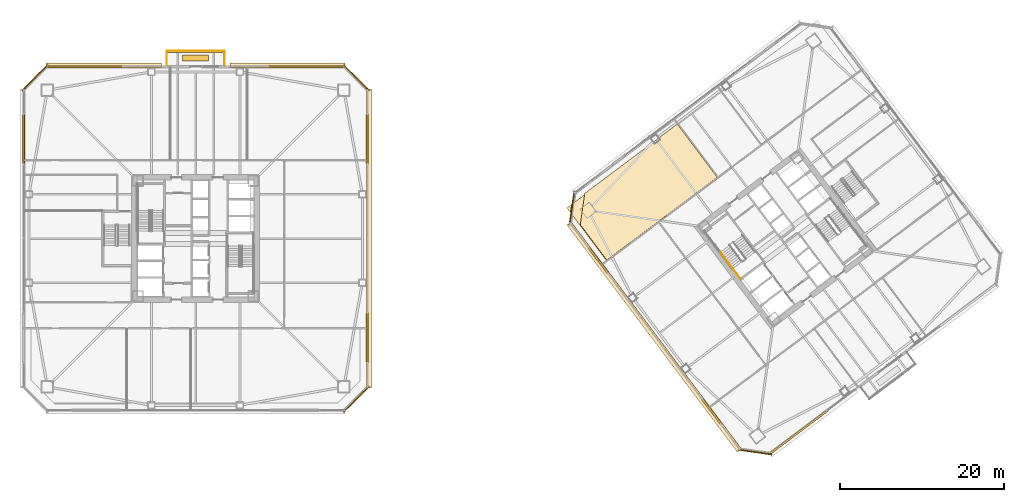
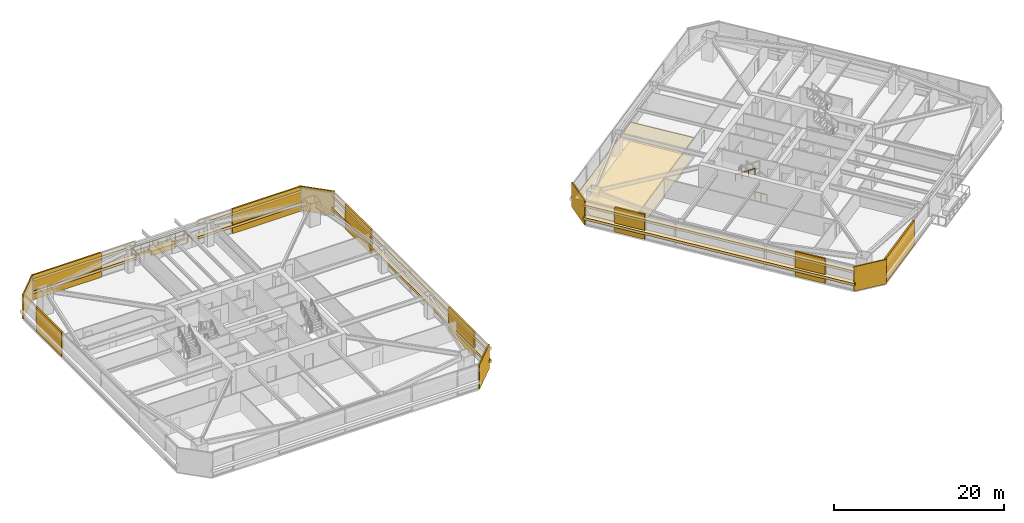
# One storey, part 45 of 48: 25 coverings, 5 railings.
"""IFC4 building model written with IfcOpenShell, lengths in metres."""

from ifc_helpers import new_model, si_unit, direction, frame, origin, origin_2d, place, context, subcontext, project, spatial, polyline, rectangle, outline, extrude, material, layer, layer_set, type_object, element, save


model = new_model("IFC4")

# Units and contexts
model_context = context("Model", 3, precision=1e-05, world=origin(), true_north=direction((0.0, 1.0)))
body_context = subcontext(model_context, "Body", "Model", "MODEL_VIEW")
ifc_project = project(units=[si_unit("LENGTHUNIT", "METRE"), si_unit("AREAUNIT", "SQUARE_METRE"), si_unit("VOLUMEUNIT", "CUBIC_METRE"), si_unit("PLANEANGLEUNIT", "RADIAN"), si_unit("MASSUNIT", "GRAM", prefix="KILO")], contexts=[model_context])

# Site, building, storey
site_placement = place(None, origin())
site = spatial("IfcSite", under=ifc_project, at=site_placement, CompositionType="ELEMENT")
building_placement = place(site_placement, origin())
building = spatial("IfcBuilding", under=site, at=building_placement, Name="Tashvorn Skyway Center", CompositionType="ELEMENT")
storey_placement = place(building_placement, frame((0.0, 0.0, 77.85009765625)))
storey = spatial("IfcBuildingStorey", under=building, at=storey_placement, Name="L20", CompositionType="ELEMENT", Elevation=77.85009765625)

# Coverings
ifc_material_1 = material(Name="Precast concrete C40/50", Category="concrete")
ifc_layer_1 = layer(ifc_material_1, 0.199951171875)
ifc_layer_set_1 = layer_set([ifc_layer_1], Name="Precast concrete C40/50")
covering_type_1 = type_object("IfcCoveringType", Name="COV-BRACE-CLAD", PredefinedType="CLADDING", material=ifc_layer_set_1)
covering_1_placement = place(storey_placement, frame((21.02001953125, 44.1201171875, 0.0), z_axis=(0.0, 0.0, 1.0), x_axis=(0.0, 1.0, 0.0)))
element("IfcCovering", 1, at=covering_1_placement, inside=storey, type_object=covering_type_1, Name="Tower 1 L20 West Unitised Curtain Wall Mega-Brace Cladding Band 2", PredefinedType="CLADDING", context=body_context, shape_type="SweptSolid", body=[
    extrude(rectangle(XDim=6.06005859375, YDim=0.199951171875, at=origin_2d()), origin(), (0.0, 0.0, 1.0), 3.550048828125),
])
for number, where, z_axis, x_axis, name in (
    (2, (28.46337890625, 52.97998046875, 0.0), (0.0, 0.0, 1.0), (1.0, 0.0, 0.0), "Tower 1 L20 North Curtain Wall L Mega-Brace Cladding Band 1"),
    (3, (55.53662109375, 52.97998046875, 0.0), (0.0, 0.0, 1.0), (1.0, 0.0, 0.0), "Tower 1 L20 North Curtain Wall R Mega-Brace Cladding Band 1"),
):
    element("IfcCovering", number, at=place(storey_placement, frame(where, z_axis=z_axis, x_axis=x_axis)), inside=storey, type_object=covering_type_1, Name=name, PredefinedType="CLADDING", context=body_context, shape_type="SweptSolid", body=[
        extrude(rectangle(XDim=9.28662109375, YDim=0.199951171875, at=origin_2d()), origin(), (0.0, 0.0, 1.0), 3.550048828125),
    ])
for number, where, z_axis, x_axis, name in (
    (4, (62.97998046875, 44.1201171875, 0.0), (0.0, 0.0, 1.0), (0.0, -1.0, 0.0), "Tower 1 L20 East Unitised Curtain Wall Mega-Brace Cladding Band 1"),
    (5, (62.97998046875, 19.8798828125, 0.0), (0.0, 0.0, 1.0), (0.0, -1.0, 0.0), "Tower 1 L20 East Unitised Curtain Wall Mega-Brace Cladding Band 2"),
):
    element("IfcCovering", number, at=place(storey_placement, frame(where, z_axis=z_axis, x_axis=x_axis)), inside=storey, type_object=covering_type_1, Name=name, PredefinedType="CLADDING", context=body_context, shape_type="SweptSolid", body=[
        extrude(rectangle(XDim=6.06005859375, YDim=0.199951171875, at=origin_2d()), origin(), (0.0, 0.0, 1.0), 3.550048828125),
    ])
covering_2_placement = place(storey_placement, frame((115.57861328125, 8.333984375, 0.0), z_axis=(0.0, 0.0, 1.0), x_axis=(-0.799999996291, -0.600000004945, 0.0)))
element("IfcCovering", 6, at=covering_2_placement, inside=storey, type_object=covering_type_1, Name="Tower 2 L20 South Curtain Wall R Mega-Brace Cladding Band 1", PredefinedType="CLADDING", context=body_context, shape_type="SweptSolid", body=[
    extrude(rectangle(XDim=8.6865234375, YDim=0.199951171875, at=origin_2d()), origin(), (0.0, 0.0, 1.0), 3.550048828125),
])
for number, where, z_axis, x_axis, name in (
    (7, (105.008056640625, 10.85595703125, 0.0), (0.0, 0.0, 1.0), (-0.600000004945, 0.799999996291, 0.0), "Tower 2 L20 West Unitised Curtain Wall Mega-Brace Cladding Band 1"),
    (8, (91.18408203125, 29.2880859375, 0.0), (0.0, 0.0, 1.0), (-0.600000004945, 0.799999996291, 0.0), "Tower 2 L20 West Unitised Curtain Wall Mega-Brace Cladding Band 2"),
):
    element("IfcCovering", number, at=place(storey_placement, frame(where, z_axis=z_axis, x_axis=x_axis)), inside=storey, type_object=covering_type_1, Name=name, PredefinedType="CLADDING", context=body_context, shape_type="SweptSolid", body=[
        extrude(rectangle(XDim=3.840087890625, YDim=0.199951171875, at=origin_2d()), origin(), (0.0, 0.0, 1.0), 3.550048828125),
    ])
ifc_material_2 = material(Name="Mineral-fibre acoustic ceiling tile on suspended grid")
ifc_layer_2 = layer(ifc_material_2, 0.02001953125)
ifc_layer_set_2 = layer_set([ifc_layer_2], Name="Mineral-fibre acoustic ceiling tile on suspended grid")
covering_type_2 = type_object("IfcCoveringType", Name="COV-CEIL-20", PredefinedType="CEILING", material=ifc_layer_set_2)
covering_3_placement = place(storey_placement, frame((0.0, 0.0, 2.682861328125)))
element("IfcCovering", 9, at=covering_3_placement, inside=storey, type_object=covering_type_2, Name="Tower 2 L20 Conference Room Acoustic Ceiling", PredefinedType="CEILING", context=body_context, shape_type="SweptSolid", body=[
    extrude(outline(polyline([(92.179931640625, 29.260009765625), (105.780029296875, 39.4599609375), (100.919921875, 45.93994140625), (87.320068359375, 35.739990234375), (92.179931640625, 29.260009765625)])), origin(), (0.0, 0.0, 1.0), 0.02001953125),
])
ifc_material_3 = material(Name="Polished Mojave desert-aggregate terrazzo and cover plate")
ifc_layer_3 = layer(ifc_material_3, 0.0400390625)
ifc_layer_set_3 = layer_set([ifc_layer_3], Name="Polished Mojave desert-aggregate terrazzo and cover plate")
covering_type_3 = type_object("IfcCoveringType", Name="COV-FLR-40", PredefinedType="FLOORING", material=ifc_layer_set_3)
covering_4_placement = place(storey_placement, origin())
element("IfcCovering", 10, at=covering_4_placement, inside=storey, type_object=covering_type_3, Name="Tower 2 L20 Conference Room Finish Flooring", PredefinedType="FLOORING", context=body_context, shape_type="SweptSolid", body=[
    extrude(outline(polyline([(105.66796875, 39.47607421875), (92.196044921875, 29.3720703125), (88.9560546875, 33.69189453125), (89.5, 37.5), (100.7958984375, 45.971923828125), (105.66796875, 39.47607421875)])), origin(), (0.0, 0.0, 1.0), 0.039794921875),
])
ifc_material_4 = material(Name="Perforated ceramic-coated bronze aluminium solar screen", Category="aluminium")
ifc_layer_4 = layer(ifc_material_4, 0.85009765625)
ifc_layer_set_4 = layer_set([ifc_layer_4], Name="Perforated ceramic-coated bronze aluminium solar screen")
covering_type_4 = type_object("IfcCoveringType", Name="COV-SOLAR-BAND", PredefinedType="CLADDING", material=ifc_layer_set_4)
for number, where, z_axis, x_axis, name in (
    (11, (30.784912109375, 53.1201171875, 0.919921875), (0.0, 0.0, 1.0), (1.0, 0.0, 0.0), "L20 Perforated Ceramic-Metal Solar Screen Louvre Band North 1"),
    (12, (30.784912109375, 53.1201171875, 2.7197265625), (0.0, 0.0, 1.0), (1.0, 0.0, 0.0), "L20 Perforated Ceramic-Metal Solar Screen Louvre Band North 2"),
    (13, (53.215087890625, 53.1201171875, 0.919921875), (0.0, 0.0, 1.0), (1.0, 0.0, 0.0), "L20 Perforated Ceramic-Metal Solar Screen Louvre Band North 1"),
    (14, (53.215087890625, 53.1201171875, 2.7197265625), (0.0, 0.0, 1.0), (1.0, 0.0, 0.0), "L20 Perforated Ceramic-Metal Solar Screen Louvre Band North 2"),
):
    element("IfcCovering", number, at=place(storey_placement, frame(where, z_axis=z_axis, x_axis=x_axis)), inside=storey, type_object=covering_type_4, Name=name, PredefinedType="CLADDING", context=body_context, shape_type="SweptSolid", body=[
        extrude(rectangle(XDim=14.050048828125, YDim=0.639892578125, at=origin_2d()), origin(), (0.0, 0.0, 1.0), 0.360107421875),
    ])
for number, where, z_axis, x_axis, name in (
    (15, (63.1201171875, 32.0, 0.919921875), (0.0, 0.0, 1.0), (0.0, -1.0, 0.0), "L20 Perforated Ceramic-Metal Solar Screen Louvre Band East 1"),
    (16, (63.1201171875, 32.0, 2.7197265625), (0.0, 0.0, 1.0), (0.0, -1.0, 0.0), "L20 Perforated Ceramic-Metal Solar Screen Louvre Band East 2"),
):
    element("IfcCovering", number, at=place(storey_placement, frame(where, z_axis=z_axis, x_axis=x_axis)), inside=storey, type_object=covering_type_4, Name=name, PredefinedType="CLADDING", context=body_context, shape_type="SweptSolid", body=[
        extrude(rectangle(XDim=36.47998046875, YDim=0.639892578125, at=origin_2d()), origin(), (0.0, 0.0, 1.0), 0.360107421875),
    ])
for number, where, z_axis, x_axis, name in (
    (17, (97.98388671875, 19.988037109375, 0.919921875), (0.0, 0.0, 1.0), (-0.600000004945, 0.799999996291, 0.0), "L20 Perforated Ceramic-Metal Solar Screen Louvre Band West 1"),
    (18, (97.98388671875, 19.988037109375, 2.7197265625), (0.0, 0.0, 1.0), (-0.600000004945, 0.799999996291, 0.0), "L20 Perforated Ceramic-Metal Solar Screen Louvre Band West 2"),
):
    element("IfcCovering", number, at=place(storey_placement, frame(where, z_axis=z_axis, x_axis=x_axis)), inside=storey, type_object=covering_type_4, Name=name, PredefinedType="CLADDING", context=body_context, shape_type="SweptSolid", body=[
        extrude(rectangle(XDim=34.679931640625, YDim=0.639892578125, at=origin_2d()), origin(), (0.0, 0.0, 1.0), 0.360107421875),
    ])
ifc_layer_5 = layer(ifc_material_1, 0.35009765625)
ifc_layer_set_5 = layer_set([ifc_layer_5], Name="Precast concrete C40/50")
covering_type_5 = type_object("IfcCoveringType", Name="COV-STONE-TRIM", PredefinedType="CLADDING", material=ifc_layer_set_5)
covering_5_placement = place(storey_placement, frame((42.0, 54.860107421875, -0.16015625), z_axis=(0.0, 0.0, 1.0), x_axis=(1.0, 0.0, 0.0)))
element("IfcCovering", 19, at=covering_5_placement, inside=storey, type_object=covering_type_5, Name="Tower 1 L20 Spiral Terrace Terracotta Fascia", PredefinedType="CLADDING", context=body_context, shape_type="SweptSolid", body=[
    extrude(rectangle(XDim=7.199951171875, YDim=0.280029296875, at=origin_2d()), origin(), (0.0, 0.0, 1.0), 0.280029296875),
])
covering_6_placement = place(storey_placement, frame((42.0, 54.050048828125, 0.0), z_axis=(0.0, 0.0, 1.0), x_axis=(1.0, 0.0, 0.0)))
element("IfcCovering", 20, at=covering_6_placement, inside=storey, type_object=covering_type_5, Name="Tower 1 L20 Spiral Terrace Planter", PredefinedType="CLADDING", context=body_context, shape_type="SweptSolid", body=[
    extrude(rectangle(XDim=3.199951171875, YDim=0.75, at=origin_2d()), origin(), (0.0, 0.0, 1.0), 0.679931640625),
])
for number, where, z_axis, x_axis, name in (
    (21, (22.3798828125, 51.6201171875, 0.02001953125), (0.0, 0.0, 1.0), (-0.707106781187, -0.707106781187, 0.0), "Tower 1 L20 NW Mojave Limestone Corner Quoin"),
    (22, (61.6201171875, 51.6201171875, 0.02001953125), (0.0, 0.0, 1.0), (0.707106781187, -0.707106781187, 0.0), "Tower 1 L20 NE Mojave Limestone Corner Quoin"),
    (23, (61.6201171875, 12.3798828125, 0.02001953125), (0.0, 0.0, 1.0), (0.707106781187, 0.707106781187, 0.0), "Tower 1 L20 SE Mojave Limestone Corner Quoin"),
):
    element("IfcCovering", number, at=place(storey_placement, frame(where, z_axis=z_axis, x_axis=x_axis)), inside=storey, type_object=covering_type_5, Name=name, PredefinedType="CLADDING", context=body_context, shape_type="SweptSolid", body=[
        extrude(rectangle(XDim=4.402587890625, YDim=0.139892578125, at=origin_2d()), origin(), (0.0, 0.0, 1.0), 3.510009765625),
    ])
for number, where, z_axis, x_axis, name in (
    (24, (110.27587890625, 5.931884765625, 0.02001953125), (0.0, 0.0, 1.0), (-0.989949494535, 0.141421350118, 0.0), "Tower 2 L20 SW Mojave Limestone Corner Quoin"),
    (25, (87.931884765625, 35.72412109375, 0.02001953125), (0.0, 0.0, 1.0), (-0.141421350118, -0.989949494535, 0.0), "Tower 2 L20 NW Mojave Limestone Corner Quoin"),
):
    element("IfcCovering", number, at=place(storey_placement, frame(where, z_axis=z_axis, x_axis=x_axis)), inside=storey, type_object=covering_type_5, Name=name, PredefinedType="CLADDING", context=body_context, shape_type="SweptSolid", body=[
        extrude(rectangle(XDim=4.119873046875, YDim=0.139892578125, at=origin_2d()), origin(), (0.0, 0.0, 1.0), 3.510009765625),
    ])

# Railings
ifc_material_5 = material(Name="Galvanized steel S355", Category="steel")
railing_type_1 = type_object("IfcRailingType", Name="RAIL-GUARD-1120", PredefinedType="GUARDRAIL", material=ifc_material_5)
railing_1_placement = place(storey_placement, frame((38.47998046875, 53.10009765625, 0.0)))
element("IfcRailing", 26, at=railing_1_placement, inside=storey, type_object=railing_type_1, Name="L20 Tower 1 Terrace Guardrail 01", PredefinedType="GUARDRAIL", context=body_context, shape_type="SweptSolid", body=[
    extrude(rectangle(XDim=0.048095703125, YDim=0.048095703125, at=origin_2d()), frame((0.0, 0.0, 1.09619140625), z_axis=(0.0, 1.0, 0.0), x_axis=(-1.0, 0.0, 0.0)), (0.0, 0.0, 1.0), 1.81982421875),
    extrude(rectangle(XDim=0.0419921875, YDim=0.0419921875, at=origin_2d()), origin(), (0.0, 0.0, 1.0), 1.072021484375),
    extrude(rectangle(XDim=0.0419921875, YDim=0.0419921875, at=origin_2d()), frame((0.0, 0.909912109375, 0.0)), (0.0, 0.0, 1.0), 1.072021484375),
    extrude(rectangle(XDim=0.0419921875, YDim=0.0419921875, at=origin_2d()), frame((0.0, 1.81982421875, 0.0)), (0.0, 0.0, 1.0), 1.072021484375),
])
railing_2_placement = place(storey_placement, frame((38.47998046875, 54.919921875, 0.0)))
element("IfcRailing", 27, at=railing_2_placement, inside=storey, type_object=railing_type_1, Name="L20 Tower 1 Terrace Guardrail 02", PredefinedType="GUARDRAIL", context=body_context, shape_type="SweptSolid", body=[
    extrude(rectangle(XDim=0.048095703125, YDim=0.048095703125, at=origin_2d()), frame((0.0, 0.0, 1.09619140625), z_axis=(1.0, 0.0, 0.0), x_axis=(0.0, 1.0, 0.0)), (0.0, 0.0, 1.0), 7.0400390625),
    extrude(rectangle(XDim=0.0419921875, YDim=0.0419921875, at=origin_2d()), origin(), (0.0, 0.0, 1.0), 1.072021484375),
    extrude(rectangle(XDim=0.0419921875, YDim=0.0419921875, at=origin_2d()), frame((1.17333984375, 0.0, 0.0)), (0.0, 0.0, 1.0), 1.072021484375),
    extrude(rectangle(XDim=0.0419921875, YDim=0.0419921875, at=origin_2d()), frame((2.3466796875, 0.0, 0.0)), (0.0, 0.0, 1.0), 1.072021484375),
    extrude(rectangle(XDim=0.0419921875, YDim=0.0419921875, at=origin_2d()), frame((3.52001953125, 0.0, 0.0)), (0.0, 0.0, 1.0), 1.072021484375),
    extrude(rectangle(XDim=0.0419921875, YDim=0.0419921875, at=origin_2d()), frame((4.693359375, 0.0, 0.0)), (0.0, 0.0, 1.0), 1.072021484375),
    extrude(rectangle(XDim=0.0419921875, YDim=0.0419921875, at=origin_2d()), frame((5.86669921875, 0.0, 0.0)), (0.0, 0.0, 1.0), 1.072021484375),
    extrude(rectangle(XDim=0.0419921875, YDim=0.0419921875, at=origin_2d()), frame((7.0400390625, 0.0, 0.0)), (0.0, 0.0, 1.0), 1.072021484375),
])
railing_3_placement = place(storey_placement, frame((45.52001953125, 54.919921875, 0.0)))
element("IfcRailing", 28, at=railing_3_placement, inside=storey, type_object=railing_type_1, Name="L20 Tower 1 Terrace Guardrail 03", PredefinedType="GUARDRAIL", context=body_context, shape_type="SweptSolid", body=[
    extrude(rectangle(XDim=0.048095703125, YDim=0.048095703125, at=origin_2d()), frame((0.0, 0.0, 1.09619140625), z_axis=(0.0, -1.0, 0.0), x_axis=(1.0, 0.0, 0.0)), (0.0, 0.0, 1.0), 1.81982421875),
    extrude(rectangle(XDim=0.0419921875, YDim=0.0419921875, at=origin_2d()), origin(), (0.0, 0.0, 1.0), 1.072021484375),
    extrude(rectangle(XDim=0.0419921875, YDim=0.0419921875, at=origin_2d()), frame((0.0, -0.909912109375, 0.0)), (0.0, 0.0, 1.0), 1.072021484375),
    extrude(rectangle(XDim=0.0419921875, YDim=0.0419921875, at=origin_2d()), frame((0.0, -1.81982421875, 0.0)), (0.0, 0.0, 1.0), 1.072021484375),
])
ifc_material_6 = material(Name="Brushed stainless steel 316", Category="steel")
railing_type_2 = type_object("IfcRailingType", Name="RAIL-HAND-920", PredefinedType="HANDRAIL", material=ifc_material_6)
railing_4_placement = place(storey_placement, frame((106.072021484375, 30.35400390625, 1.952392578125)))
element("IfcRailing", 29, at=railing_4_placement, inside=storey, type_object=railing_type_2, Name="L20 ST-T2-1 stair handrail 2", PredefinedType="HANDRAIL", context=body_context, shape_type="SweptSolid", body=[
    extrude(rectangle(XDim=0.048095703125, YDim=0.048095703125, at=origin_2d()), frame((0.0, 0.0, 0.8759765625), z_axis=(0.506740800098, -0.675708949977, 0.535379469569), x_axis=(0.800023250257, 0.599968998406, 0.0)), (0.0, 0.0, 1.0), 2.983642578125),
    extrude(rectangle(XDim=0.0419921875, YDim=0.0419921875, at=origin_2d()), origin(), (0.0, 0.0, 1.0), 0.851806640625),
    extrude(rectangle(XDim=0.0419921875, YDim=0.0419921875, at=origin_2d()), frame((0.50390625, -0.672119140625, 0.532470703125)), (0.0, 0.0, 1.0), 0.851806640625),
    extrude(rectangle(XDim=0.0419921875, YDim=0.0419921875, at=origin_2d()), frame((1.008056640625, -1.343994140625, 1.06494140625)), (0.0, 0.0, 1.0), 0.851806640625),
    extrude(rectangle(XDim=0.0419921875, YDim=0.0419921875, at=origin_2d()), frame((1.511962890625, -2.01611328125, 1.597412109375)), (0.0, 0.0, 1.0), 0.851806640625),
])
ifc_material_7 = material(Name="Painted galvanized steel S355", Category="steel")
railing_type_3 = type_object("IfcRailingType", Name="RAIL-STGUARD-1100", PredefinedType="GUARDRAIL", material=ifc_material_7)
railing_5_placement = place(storey_placement, frame((108.49609375, 27.1220703125, 0.0)))
element("IfcRailing", 30, at=railing_5_placement, inside=storey, type_object=railing_type_3, Name="L20 ST-T2-1 stair guard 6", PredefinedType="GUARDRAIL", context=body_context, shape_type="SweptSolid", body=[
    extrude(rectangle(XDim=0.048095703125, YDim=0.048095703125, at=origin_2d()), frame((0.0, 0.0, 1.076171875), z_axis=(-0.600102796382, 0.799922892393, 0.0), x_axis=(-0.799922892393, -0.600102796382, 0.0)), (0.0, 0.0, 1.0), 1.52001953125),
    extrude(rectangle(XDim=0.0419921875, YDim=0.0419921875, at=origin_2d()), origin(), (0.0, 0.0, 1.0), 1.052001953125),
    extrude(rectangle(XDim=0.0419921875, YDim=0.0419921875, at=origin_2d()), frame((-0.4560546875, 0.60791015625, 0.0)), (0.0, 0.0, 1.0), 1.052001953125),
    extrude(rectangle(XDim=0.0419921875, YDim=0.0419921875, at=origin_2d()), frame((-0.912109375, 1.2158203125, 0.0)), (0.0, 0.0, 1.0), 1.052001953125),
])

save(model, "model.ifc")
